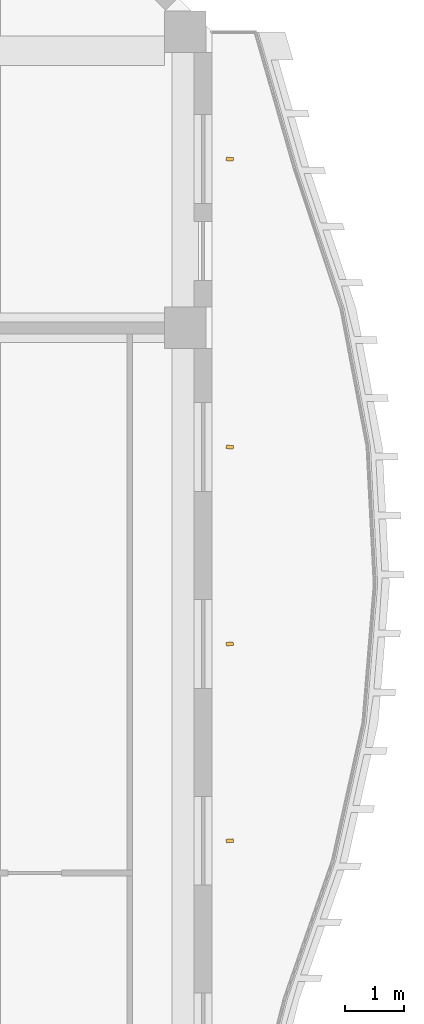
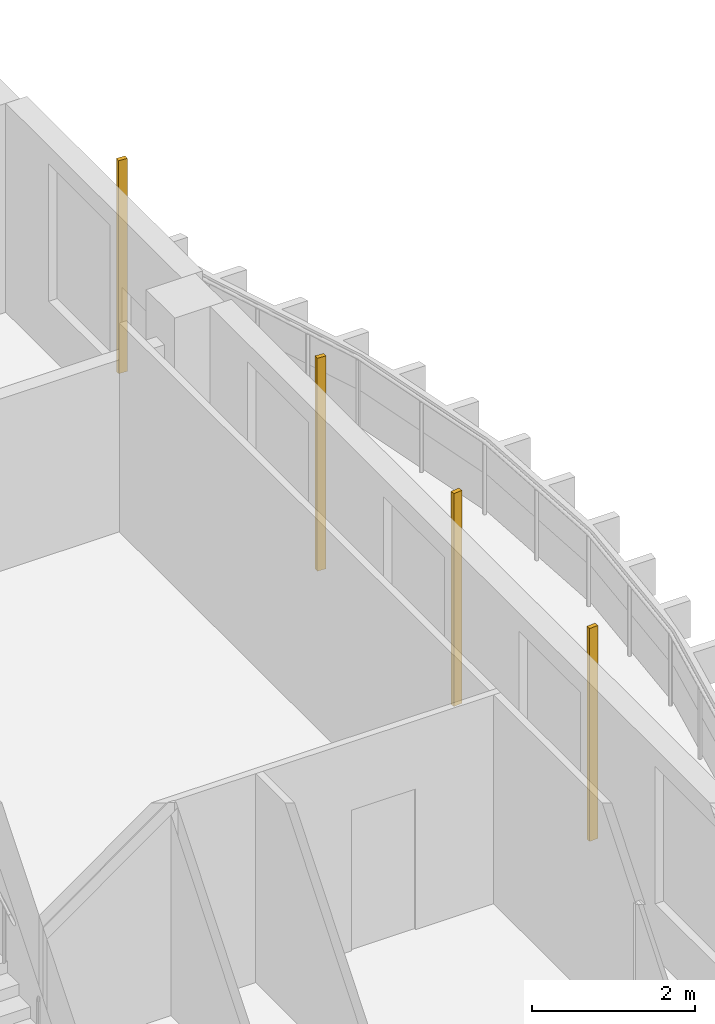
# One storey, part 18 of 18: 4 shading devices.
"""IFC4 building model written with IfcOpenShell, lengths in metres."""

from ifc_helpers import new_model, si_unit, direction, frame, origin, origin_2d, place, context, subcontext, project, spatial, rectangle, extrude, source, transform, mapped, material, material_profile, profile_set, type_object, element, save


model = new_model("IFC4")

# Units and contexts
model_context = context("Model", 3, precision=1e-05, world=origin(), true_north=direction((0.0, 1.0)))
body_context = subcontext(model_context, "Body", "Model", "MODEL_VIEW")
ifc_project = project(units=[si_unit("LENGTHUNIT", "METRE"), si_unit("AREAUNIT", "SQUARE_METRE"), si_unit("VOLUMEUNIT", "CUBIC_METRE"), si_unit("PLANEANGLEUNIT", "RADIAN"), si_unit("MASSUNIT", "GRAM", prefix="KILO")], contexts=[model_context])

# Site, building, storey
site_placement = place(None, origin())
site = spatial("IfcSite", under=ifc_project, at=site_placement, CompositionType="ELEMENT")
building_placement = place(site_placement, origin())
building = spatial("IfcBuilding", under=site, at=building_placement, Name="Kilnfold Tower and Market Hall", CompositionType="ELEMENT")
storey_placement = place(building_placement, frame((0.0, 0.0, 249.199951171875)))
storey = spatial("IfcBuildingStorey", under=building, at=storey_placement, Name="L60", CompositionType="ELEMENT", Elevation=249.199951171875)

# Shading devices
ifc_material = material(Name="Terracotta", Category="masonry")
ifc_material_profile = material_profile(ifc_material, rectangle(XDim=0.06005859375, YDim=0.1201171875, at=origin_2d()), Name="BAG 60x120")
ifc_profile_set = profile_set([ifc_material_profile], Name="Terracotta")
shading_device_type = type_object("IfcShadingDeviceType", Name="BAGUETTE", PredefinedType="USERDEFINED", material=ifc_profile_set)
shared_shape = source(origin(), body_context, "Body", "SweptSolid", [
    extrude(rectangle(XDim=0.06005859375, YDim=0.1201171875, at=origin_2d()), origin(), (0.0, 0.0, 1.0), 3.179931640625),
])
for number, where, z_axis, x_axis, name in (
    (1, (29.800048828125, 13.33740234375, 0.0), (0.0, 0.0, 1.0), (-0.084545676348, 0.99641960469, 0.0), "Terracotta baguette L60 E"),
    (2, (29.800048828125, 16.66259765625, 0.0), (0.0, 0.0, 1.0), (-0.117072878594, 0.993123326228, 0.0), "Terracotta baguette L60 E"),
    (3, (29.800048828125, 19.987548828125, 0.0), (0.0, 0.0, 1.0), (0.066185084041, 0.997807363498, 0.0), "Terracotta baguette L60 E"),
    (4, (29.800048828125, 24.85009765625, 0.0), (0.0, 0.0, 1.0), (0.062579750016, 0.998039966578, 0.0), "Terracotta baguette L60 E"),
):
    element("IfcShadingDevice", number, at=place(storey_placement, frame(where, z_axis=z_axis, x_axis=x_axis)), inside=storey, type_object=shading_device_type, Name=name, ObjectType="BAGUETTE", PredefinedType="USERDEFINED", context=body_context, shape_type="MappedRepresentation", body=[
        mapped(shared_shape, transform((0.0, 0.0, 0.0))),
    ])

save(model, "model.ifc")
